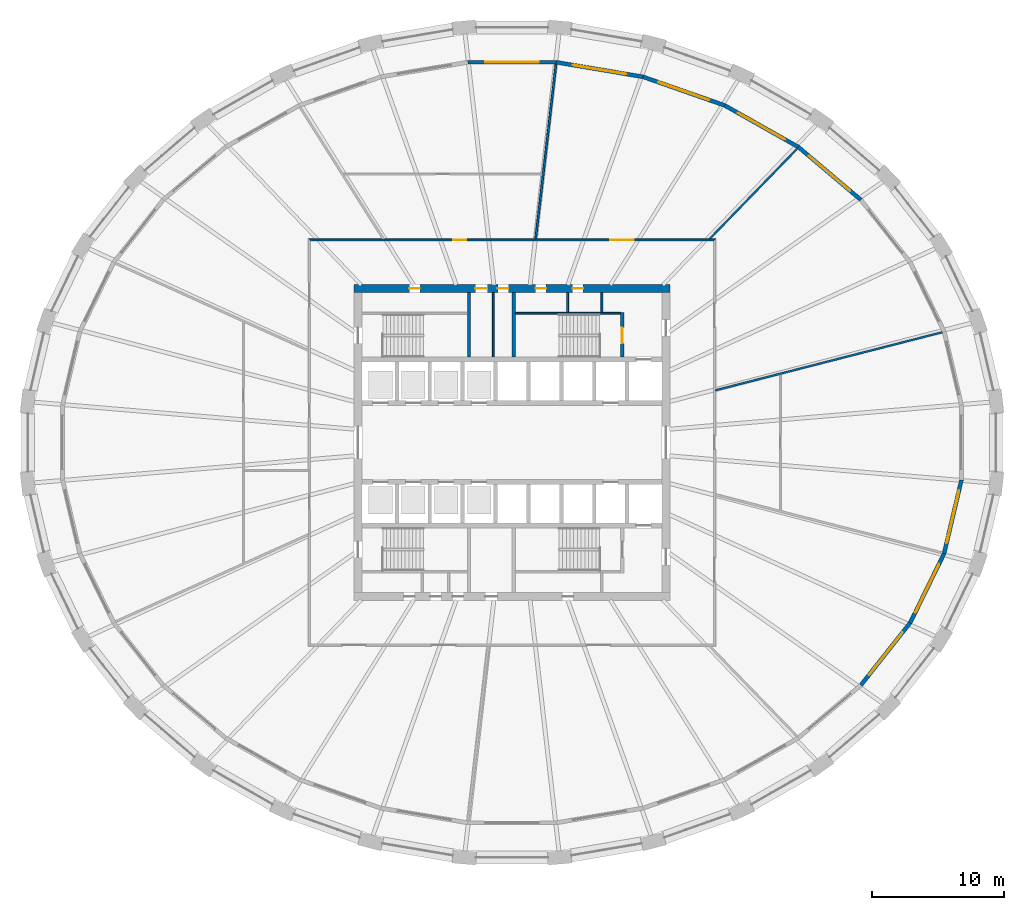
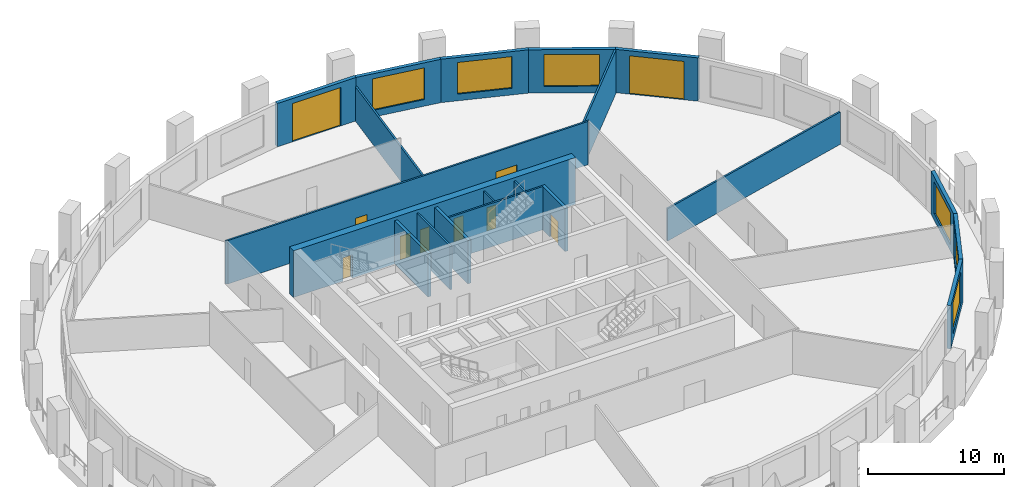
# One storey, part 6 of 10: 20 walls, 10 doors, 6 windows, 16 openings.
"""IFC4 building model written with IfcOpenShell, lengths in metres."""

from ifc_helpers import new_model, si_unit, direction, frame, frame_2d, origin, place, context, subcontext, project, spatial, polyline, rectangle, outline, extrude, material, layer, layer_set, type_object, element, fill, save


model = new_model("IFC4")

# Units and contexts
model_context = context("Model", 3, precision=1e-05, world=origin(), true_north=direction((0.0, 1.0)))
body_context = subcontext(model_context, "Body", "Model", "MODEL_VIEW")
ifc_project = project(units=[si_unit("LENGTHUNIT", "METRE"), si_unit("AREAUNIT", "SQUARE_METRE"), si_unit("VOLUMEUNIT", "CUBIC_METRE"), si_unit("PLANEANGLEUNIT", "RADIAN"), si_unit("MASSUNIT", "GRAM", prefix="KILO")], contexts=[model_context])

# Site, building, storey
site_placement = place(None, origin())
site = spatial("IfcSite", under=ifc_project, at=site_placement, CompositionType="ELEMENT")
building_placement = place(site_placement, origin())
building = spatial("IfcBuilding", under=site, at=building_placement, Name="Halqa Exchange Tower", CompositionType="ELEMENT")
storey_placement = place(building_placement, frame((0.0, 0.0, 65.5)))
storey = spatial("IfcBuildingStorey", under=building, at=storey_placement, Name="L14", CompositionType="ELEMENT", Elevation=65.5)

# Wall, openings, doors
ifc_material_1 = material(Name="Fire-rated gypsum board")
ifc_layer_1 = layer(ifc_material_1, 0.14990234375)
ifc_layer_set_1 = layer_set([ifc_layer_1], Name="Fire-rated gypsum board")
wall_type_1 = type_object("IfcWallType", Name="Fire partition EI 60 150", PredefinedType="PARTITIONING", material=ifc_layer_set_1)
wall_1_placement = place(storey_placement, frame((-15.47509765625, 15.39990234375, 0.0), z_axis=(0.0, 0.0, 1.0), x_axis=(1.0, 0.0, 0.0)))
wall_1 = element("IfcWall", 1, at=wall_1_placement, inside=storey, type_object=wall_type_1, Name="L14-PWL-010", PredefinedType="PARTITIONING", context=body_context, shape_type="SweptSolid", body=[
    extrude(outline(polyline([(0.150146484375, -0.074951171875), (2.065673828125, -0.074951171875), (3.9814453125, -0.074951171875), (5.89697265625, -0.074951171875), (7.8125, -0.074951171875), (9.728271484375, -0.074951171875), (11.643798828125, -0.074951171875), (13.5595703125, -0.074951171875), (15.47509765625, -0.074951171875), (17.390625, -0.074951171875), (19.306396484375, -0.074951171875), (21.221923828125, -0.074951171875), (23.1376953125, -0.074951171875), (25.05322265625, -0.074951171875), (26.96875, -0.074951171875), (28.884521484375, -0.074951171875), (30.800048828125, -0.074951171875), (30.949951171875, 0.074951171875), (29.015625, 0.074951171875), (27.081298828125, 0.074951171875), (25.14697265625, 0.074951171875), (23.21240234375, 0.074951171875), (21.278076171875, 0.074951171875), (19.34375, 0.074951171875), (17.409423828125, 0.074951171875), (15.47509765625, 0.074951171875), (13.540771484375, 0.074951171875), (11.6064453125, 0.074951171875), (9.672119140625, 0.074951171875), (7.73779296875, 0.074951171875), (5.80322265625, 0.074951171875), (3.868896484375, 0.074951171875), (1.9345703125, 0.074951171875), (0.000244140625, 0.074951171875), (0.150146484375, -0.074951171875)])), origin(), (0.0, 0.0, 1.0), 3.89990234375),
])
opening_1_placement = place(wall_1_placement, frame((22.945068359375, 0.0, 0.0)))
opening_1 = element("IfcOpeningElement", 2, at=opening_1_placement, cuts=wall_1, Name="Opening 04-04", PredefinedType="OPENING", context=body_context, shape_type="SweptSolid", body=[
    extrude(rectangle(XDim=1.800048828125, YDim=2.10009765625, at=frame_2d((0.89990234375, 1.050048828125))), frame((0.0, 0.0869140625, 0.0), z_axis=(0.0, -1.0, 0.0), x_axis=(1.0, 0.0, 0.0)), (0.0, 0.0, 1.0), 0.173828125),
])
opening_2_placement = place(wall_1_placement, frame((11.0, 0.0, 0.0)))
opening_2 = element("IfcOpeningElement", 3, at=opening_2_placement, cuts=wall_1, Name="Opening 04-05", PredefinedType="OPENING", context=body_context, shape_type="SweptSolid", body=[
    extrude(rectangle(XDim=1.0, YDim=2.10009765625, at=frame_2d((0.5, 1.050048828125))), frame((0.0, 0.0869140625, 0.0), z_axis=(0.0, -1.0, 0.0), x_axis=(1.0, 0.0, 0.0)), (0.0, 0.0, 1.0), 0.173828125),
])
ifc_material_2 = material(Name="Steel fire door leaf", Category="steel")
door_type_1 = type_object("IfcDoorType", Name="Fire door FD30S 1000 x 2100", OperationType="SINGLE_SWING_LEFT", PredefinedType="DOOR", material=ifc_material_2)
door_1_placement = place(opening_2_placement, origin())
door_1 = element("IfcDoor", 4, at=door_1_placement, inside=storey, type_object=door_type_1, Name="L14-IDR-005", OperationType="SINGLE_SWING_RIGHT", OverallHeight=2.10009765625, OverallWidth=1.0, PredefinedType="DOOR", context=body_context, shape_type="SweptSolid", body=[
    extrude(rectangle(XDim=1.0, YDim=2.10009765625, at=frame_2d((0.5, 1.050048828125))), frame((0.0, 0.02490234375, 0.0), z_axis=(0.0, -1.0, 0.0), x_axis=(1.0, 0.0, 0.0)), (0.0, 0.0, 1.0), 0.050048828125),
])
fill(opening_2, door_1)
door_type_2 = type_object("IfcDoorType", Name="Fire door FD30S double 1800 x 2100", OperationType="DOUBLE_DOOR_SINGLE_SWING", PredefinedType="DOOR", material=ifc_material_2)
door_2_placement = place(opening_1_placement, origin())
door_2 = element("IfcDoor", 5, at=door_2_placement, inside=storey, type_object=door_type_2, Name="L14-IDR-004", OperationType="DOUBLE_DOOR_SINGLE_SWING", OverallHeight=2.10009765625, OverallWidth=1.800048828125, PredefinedType="DOOR", context=body_context, shape_type="SweptSolid", body=[
    extrude(rectangle(XDim=1.800048828125, YDim=2.10009765625, at=frame_2d((0.89990234375, 1.050048828125))), frame((0.0, 0.02490234375, 0.0), z_axis=(0.0, -1.0, 0.0), x_axis=(1.0, 0.0, 0.0)), (0.0, 0.0, 1.0), 0.050048828125),
])
fill(opening_1, door_2)

# Walls
wall_2_placement = place(storey_placement, frame((1.7978515625, 15.466552734375, 0.0), z_axis=(0.0, 0.0, 1.0), x_axis=(0.115693975805, 0.993284905736, 0.0)))
element("IfcWall", 6, at=wall_2_placement, inside=storey, type_object=wall_type_1, Name="L14-PWL-013", PredefinedType="PARTITIONING", context=body_context, shape_type="SweptSolid", body=[
    extrude(outline(polyline([(13.37255859375, -0.074951171875), (13.37255859375, 0.0283203125), (13.3671875, 0.074951171875), (11.69482421875, 0.074951171875), (10.0224609375, 0.074951171875), (8.35009765625, 0.074951171875), (6.677734375, 0.074951171875), (5.00537109375, 0.074951171875), (4.908935546875, 0.063720703125), (4.90771484375, 0.074951171875), (3.271728515625, 0.074951171875), (1.635986328125, 0.074951171875), (0.0, 0.074951171875), (0.0, 0.072998046875), (0.017333984375, -0.074951171875), (1.925048828125, -0.074951171875), (3.8330078125, -0.074951171875), (5.740966796875, -0.074951171875), (7.64892578125, -0.074951171875), (9.556640625, -0.074951171875), (11.464599609375, -0.074951171875), (13.37255859375, -0.074951171875)])), origin(), (0.0, 0.0, 1.0), 3.10009765625),
])
wall_3_placement = place(storey_placement, frame((14.972412109375, 15.423095703125, 0.0), z_axis=(0.0, 0.0, 1.0), x_axis=(0.696498460967, 0.717558286044, 0.0)))
element("IfcWall", 7, at=wall_3_placement, inside=storey, type_object=wall_type_1, Name="L14-PWL-014", PredefinedType="PARTITIONING", context=body_context, shape_type="SweptSolid", body=[
    extrude(outline(polyline([(0.0, 0.074951171875), (0.0, 0.074462890625), (0.14501953125, -0.074951171875), (2.0380859375, -0.074951171875), (3.93115234375, -0.074951171875), (5.82421875, -0.074951171875), (7.71728515625, -0.074951171875), (9.6103515625, -0.074951171875), (9.6103515625, 0.074951171875), (7.688232421875, 0.074951171875), (5.76611328125, 0.074951171875), (3.84423828125, 0.074951171875), (1.922119140625, 0.074951171875), (0.0, 0.074951171875)])), origin(), (0.0, 0.0, 1.0), 3.89990234375),
])
wall_4_placement = place(storey_placement, frame((15.456787109375, 3.964599609375, 0.0), z_axis=(0.0, 0.0, 1.0), x_axis=(0.968758808885, 0.248004778598, 0.0)))
element("IfcWall", 8, at=wall_4_placement, inside=storey, type_object=wall_type_1, Name="L14-PWL-017", PredefinedType="PARTITIONING", context=body_context, shape_type="SweptSolid", body=[
    extrude(outline(polyline([(0.0, -0.074951171875), (1.67724609375, -0.074951171875), (3.3544921875, -0.074951171875), (5.03173828125, -0.074951171875), (5.03173828125, -0.074951171875), (5.0322265625, -0.074951171875), (6.8564453125, -0.074951171875), (8.680419921875, -0.074951171875), (10.504638671875, -0.074951171875), (12.328857421875, -0.074951171875), (14.153076171875, -0.074951171875), (15.97705078125, -0.074951171875), (17.80126953125, -0.074951171875), (17.80126953125, 0.01708984375), (17.789306640625, 0.074951171875), (15.81689453125, 0.074951171875), (13.844482421875, 0.074951171875), (11.8720703125, 0.074951171875), (9.89990234375, 0.074951171875), (7.927490234375, 0.074951171875), (5.955078125, 0.074951171875), (3.982666015625, 0.074951171875), (2.01025390625, 0.074951171875), (0.0380859375, 0.074951171875), (0.0, -0.073486328125), (0.0, -0.074951171875)])), origin(), (0.0, 0.0, 1.0), 2.909912109375),
])
ifc_material_3 = material(Name="Gypsum board")
ifc_layer_2 = layer(ifc_material_3, 0.14990234375)
ifc_layer_set_2 = layer_set([ifc_layer_2], Name="Gypsum board")
wall_type_2 = type_object("IfcWallType", Name="Penthouse riser wall 150 gypsum", PredefinedType="PARTITIONING", material=ifc_layer_set_2)
wall_5_placement = place(storey_placement, frame((-1.425048828125, 6.5, 0.0), z_axis=(0.0, 0.0, 1.0), x_axis=(0.0, 1.0, 0.0)))
element("IfcWall", 9, at=wall_5_placement, inside=storey, type_object=wall_type_2, Name="Partition W1.425 N", PredefinedType="PARTITIONING", context=body_context, shape_type="SweptSolid", body=[
    extrude(rectangle(XDim=4.89990234375, YDim=0.14990234375, at=frame_2d((2.449951171875, 0.0))), origin(), (0.0, 0.0, 1.0), 3.89990234375),
])
for number, where, z_axis, x_axis, name in (
    (10, (4.22509765625, 9.89990234375, 0.0), (0.0, 0.0, 1.0), (0.0, 1.0, 0.0), "Partition E4.225 N"),
    (11, (6.824951171875, 9.89990234375, 0.0), (0.0, 0.0, 1.0), (0.0, 1.0, 0.0), "Firefighting lobby west wall N"),
):
    element("IfcWall", number, at=place(storey_placement, frame(where, z_axis=z_axis, x_axis=x_axis)), inside=storey, type_object=wall_type_2, Name=name, PredefinedType="PARTITIONING", context=body_context, shape_type="SweptSolid", body=[
        extrude(rectangle(XDim=1.5, YDim=0.14990234375, at=frame_2d((0.75, 0.0))), origin(), (0.0, 0.0, 1.0), 3.89990234375),
    ])

# Wall, openings, doors
ifc_material_4 = material(Name="Concrete C80/95", Category="concrete")
ifc_layer_3 = layer(ifc_material_4, 0.60009765625)
ifc_layer_set_3 = layer_set([ifc_layer_3], Name="Concrete C80/95")
wall_type_3 = type_object("IfcWallType", Name="RC core wall 600 C80/95", PredefinedType="SHEAR", material=ifc_layer_set_3)
wall_6_placement = place(storey_placement, frame((-12.0, 11.699951171875, 0.0), z_axis=(0.0, 0.0, 1.0), x_axis=(1.0, 0.0, 0.0)))
wall_6 = element("IfcWall", 12, at=wall_6_placement, inside=storey, type_object=wall_type_3, Name="Core wall north", PredefinedType="SHEAR", context=body_context, shape_type="SweptSolid", body=[
    extrude(rectangle(XDim=24.0, YDim=0.60009765625, at=frame_2d((12.0, 0.0))), origin(), (0.0, 0.0, 1.0), 4.199951171875),
])
opening_3_placement = place(wall_6_placement, frame((9.22509765625, 0.0, 0.0)))
opening_3 = element("IfcOpeningElement", 13, at=opening_3_placement, cuts=wall_6, Name="Opening T04-C21", PredefinedType="OPENING", context=body_context, shape_type="SweptSolid", body=[
    extrude(rectangle(XDim=0.89990234375, YDim=2.10009765625, at=frame_2d((0.449951171875, 1.050048828125))), frame((0.0, 0.31201171875, 0.0), z_axis=(0.0, -1.0, 0.0), x_axis=(1.0, 0.0, 0.0)), (0.0, 0.0, 1.0), 0.6240234375),
])
opening_4_placement = place(wall_6_placement, frame((10.925048828125, 0.0, 0.0)))
opening_4 = element("IfcOpeningElement", 14, at=opening_4_placement, cuts=wall_6, Name="Opening T04-C22", PredefinedType="OPENING", context=body_context, shape_type="SweptSolid", body=[
    extrude(rectangle(XDim=0.800048828125, YDim=2.10009765625, at=frame_2d((0.39990234375, 1.050048828125))), frame((0.0, 0.31201171875, 0.0), z_axis=(0.0, -1.0, 0.0), x_axis=(1.0, 0.0, 0.0)), (0.0, 0.0, 1.0), 0.6240234375),
])
opening_5_placement = place(wall_6_placement, frame((4.199951171875, 0.0, 0.0)))
opening_5 = element("IfcOpeningElement", 15, at=opening_5_placement, cuts=wall_6, Name="Opening T04-C23", PredefinedType="OPENING", context=body_context, shape_type="SweptSolid", body=[
    extrude(rectangle(XDim=0.800048828125, YDim=2.10009765625, at=frame_2d((0.39990234375, 1.050048828125))), frame((0.0, 0.31201171875, 0.0), z_axis=(0.0, -1.0, 0.0), x_axis=(1.0, 0.0, 0.0)), (0.0, 0.0, 1.0), 0.6240234375),
])
opening_6_placement = place(wall_6_placement, frame((13.800048828125, 0.0, 0.0)))
opening_6 = element("IfcOpeningElement", 16, at=opening_6_placement, cuts=wall_6, Name="Opening T04-C24", PredefinedType="OPENING", context=body_context, shape_type="SweptSolid", body=[
    extrude(rectangle(XDim=0.800048828125, YDim=2.10009765625, at=frame_2d((0.39990234375, 1.050048828125))), frame((0.0, 0.31201171875, 0.0), z_axis=(0.0, -1.0, 0.0), x_axis=(1.0, 0.0, 0.0)), (0.0, 0.0, 1.0), 0.6240234375),
])
opening_7_placement = place(wall_6_placement, frame((16.60009765625, 0.0, 0.0)))
opening_7 = element("IfcOpeningElement", 17, at=opening_7_placement, cuts=wall_6, Name="Opening T04-C25", PredefinedType="OPENING", context=body_context, shape_type="SweptSolid", body=[
    extrude(rectangle(XDim=0.800048828125, YDim=2.10009765625, at=frame_2d((0.39990234375, 1.050048828125))), frame((0.0, 0.31201171875, 0.0), z_axis=(0.0, -1.0, 0.0), x_axis=(1.0, 0.0, 0.0)), (0.0, 0.0, 1.0), 0.6240234375),
])
ifc_material_5 = material(Name="Timber fire door leaf", Category="wood")
door_type_3 = type_object("IfcDoorType", Name="Core room door FD30 900 x 2100", OperationType="SINGLE_SWING_LEFT", PredefinedType="DOOR", material=ifc_material_5)
door_3_placement = place(opening_3_placement, frame((0.89990234375, 0.0, 0.0), z_axis=(0.0, 0.0, 1.0), x_axis=(-1.0, 0.0, 0.0)))
door_3 = element("IfcDoor", 18, at=door_3_placement, inside=storey, type_object=door_type_3, Name="Core room door", OperationType="SINGLE_SWING_LEFT", OverallHeight=2.10009765625, OverallWidth=0.89990234375, PredefinedType="DOOR", context=body_context, shape_type="SweptSolid", body=[
    extrude(rectangle(XDim=0.89990234375, YDim=2.10009765625, at=frame_2d((0.449951171875, 1.050048828125))), frame((0.0, 0.02490234375, 0.0), z_axis=(0.0, -1.0, 0.0), x_axis=(1.0, 0.0, 0.0)), (0.0, 0.0, 1.0), 0.050048828125),
])
fill(opening_3, door_3)
door_type_4 = type_object("IfcDoorType", Name="Riser door FD60 800 x 2100", OperationType="SINGLE_SWING_LEFT", PredefinedType="DOOR", material=ifc_material_2)
door_4_placement = place(opening_4_placement, frame((0.800048828125, 0.0, 0.0), z_axis=(0.0, 0.0, 1.0), x_axis=(-1.0, 0.0, 0.0)))
door_4 = element("IfcDoor", 19, at=door_4_placement, inside=storey, type_object=door_type_4, Name="Core room door", OperationType="SINGLE_SWING_LEFT", OverallHeight=2.10009765625, OverallWidth=0.800048828125, PredefinedType="DOOR", context=body_context, shape_type="SweptSolid", body=[
    extrude(rectangle(XDim=0.800048828125, YDim=2.10009765625, at=frame_2d((0.39990234375, 1.050048828125))), frame((0.0, 0.02490234375, 0.0), z_axis=(0.0, -1.0, 0.0), x_axis=(1.0, 0.0, 0.0)), (0.0, 0.0, 1.0), 0.050048828125),
])
fill(opening_4, door_4)
door_5_placement = place(opening_5_placement, frame((0.800048828125, 0.0, 0.0), z_axis=(0.0, 0.0, 1.0), x_axis=(-1.0, 0.0, 0.0)))
door_5 = element("IfcDoor", 20, at=door_5_placement, inside=storey, type_object=door_type_4, Name="Core room door", OperationType="SINGLE_SWING_LEFT", OverallHeight=2.10009765625, OverallWidth=0.800048828125, PredefinedType="DOOR", context=body_context, shape_type="SweptSolid", body=[
    extrude(rectangle(XDim=0.800048828125, YDim=2.10009765625, at=frame_2d((0.39990234375, 1.050048828125))), frame((0.0, 0.02490234375, 0.0), z_axis=(0.0, -1.0, 0.0), x_axis=(1.0, 0.0, 0.0)), (0.0, 0.0, 1.0), 0.050048828125),
])
fill(opening_5, door_5)
door_6_placement = place(opening_6_placement, frame((0.800048828125, 0.0, 0.0), z_axis=(0.0, 0.0, 1.0), x_axis=(-1.0, 0.0, 0.0)))
door_6 = element("IfcDoor", 21, at=door_6_placement, inside=storey, type_object=door_type_4, Name="Core room door", OperationType="SINGLE_SWING_RIGHT", OverallHeight=2.10009765625, OverallWidth=0.800048828125, PredefinedType="DOOR", context=body_context, shape_type="SweptSolid", body=[
    extrude(rectangle(XDim=0.800048828125, YDim=2.10009765625, at=frame_2d((0.39990234375, 1.050048828125))), frame((0.0, 0.02490234375, 0.0), z_axis=(0.0, -1.0, 0.0), x_axis=(1.0, 0.0, 0.0)), (0.0, 0.0, 1.0), 0.050048828125),
])
fill(opening_6, door_6)
door_7_placement = place(opening_7_placement, frame((0.800048828125, 0.0, 0.0), z_axis=(0.0, 0.0, 1.0), x_axis=(-1.0, 0.0, 0.0)))
door_7 = element("IfcDoor", 22, at=door_7_placement, inside=storey, type_object=door_type_4, Name="Core room door", OperationType="SINGLE_SWING_LEFT", OverallHeight=2.10009765625, OverallWidth=0.800048828125, PredefinedType="DOOR", context=body_context, shape_type="SweptSolid", body=[
    extrude(rectangle(XDim=0.800048828125, YDim=2.10009765625, at=frame_2d((0.39990234375, 1.050048828125))), frame((0.0, 0.02490234375, 0.0), z_axis=(0.0, -1.0, 0.0), x_axis=(1.0, 0.0, 0.0)), (0.0, 0.0, 1.0), 0.050048828125),
])
fill(opening_7, door_7)

# Walls
ifc_material_6 = material(Name="Concrete C30/37", Category="concrete")
ifc_layer_4 = layer(ifc_material_6, 0.14990234375)
ifc_layer_set_4 = layer_set([ifc_layer_4], Name="Concrete C30/37")
wall_type_4 = type_object("IfcWallType", Name="RC stair wall 150 C30/37", PredefinedType="SHEAR", material=ifc_layer_set_4)
wall_7_placement = place(storey_placement, frame((0.25, 9.824951171875, 0.0), z_axis=(0.0, 0.0, 1.0), x_axis=(1.0, 0.0, 0.0)))
element("IfcWall", 23, at=wall_7_placement, inside=storey, type_object=wall_type_4, Name="Stair ST2 north wall N", PredefinedType="SHEAR", context=body_context, shape_type="SweptSolid", body=[
    extrude(rectangle(XDim=8.0, YDim=0.14990234375, at=frame_2d((4.0, 0.0))), origin(), (0.0, 0.0, 1.0), 3.89990234375),
])
ifc_layer_5 = layer(ifc_material_6, 0.25)
ifc_layer_set_5 = layer_set([ifc_layer_5], Name="Concrete C30/37")
wall_type_5 = type_object("IfcWallType", Name="RC stair wall 250 C30/37", PredefinedType="SHEAR", material=ifc_layer_set_5)
for number, where, z_axis, x_axis, name in (
    (24, (-3.27490234375, 6.5, 0.0), (0.0, 0.0, 1.0), (0.0, 1.0, 0.0), "Stair ST1 east wall N"),
    (25, (0.125, 6.5, 0.0), (0.0, 0.0, 1.0), (0.0, 1.0, 0.0), "Stair ST2 west wall N"),
):
    element("IfcWall", number, at=place(storey_placement, frame(where, z_axis=z_axis, x_axis=x_axis)), inside=storey, type_object=wall_type_5, Name=name, PredefinedType="SHEAR", context=body_context, shape_type="SweptSolid", body=[
        extrude(rectangle(XDim=4.89990234375, YDim=0.25, at=frame_2d((2.449951171875, 0.0))), origin(), (0.0, 0.0, 1.0), 3.89990234375),
    ])

# Wall, opening, door
wall_8_placement = place(storey_placement, frame((8.375, 6.5, 0.0), z_axis=(0.0, 0.0, 1.0), x_axis=(0.0, 1.0, 0.0)))
wall_8 = element("IfcWall", 26, at=wall_8_placement, inside=storey, type_object=wall_type_5, Name="Stair ST2 east wall N", PredefinedType="SHEAR", context=body_context, shape_type="SweptSolid", body=[
    extrude(rectangle(XDim=3.39990234375, YDim=0.25, at=frame_2d((1.699951171875, 0.0))), origin(), (0.0, 0.0, 1.0), 3.89990234375),
])
opening_8_placement = place(wall_8_placement, frame((1.02490234375, 0.0, 0.0)))
opening_8 = element("IfcOpeningElement", 27, at=opening_8_placement, cuts=wall_8, Name="Opening T04-C16", PredefinedType="OPENING", context=body_context, shape_type="SweptSolid", body=[
    extrude(rectangle(XDim=1.199951171875, YDim=2.10009765625, at=frame_2d((0.60009765625, 1.050048828125))), frame((0.0, 0.136962890625, 0.0), z_axis=(0.0, -1.0, 0.0), x_axis=(1.0, 0.0, 0.0)), (0.0, 0.0, 1.0), 0.27392578125),
])
door_type_5 = type_object("IfcDoorType", Name="Stair door FD90 1200 x 2100", OperationType="SINGLE_SWING_LEFT", PredefinedType="DOOR", material=ifc_material_2)
door_8_placement = place(opening_8_placement, origin())
door_8 = element("IfcDoor", 28, at=door_8_placement, inside=storey, type_object=door_type_5, Name="Stair door ST2", OperationType="SINGLE_SWING_RIGHT", OverallHeight=2.10009765625, OverallWidth=1.199951171875, PredefinedType="DOOR", context=body_context, shape_type="SweptSolid", body=[
    extrude(rectangle(XDim=1.199951171875, YDim=2.10009765625, at=frame_2d((0.60009765625, 1.050048828125))), frame((0.0, 0.02490234375, 0.0), z_axis=(0.0, -1.0, 0.0), x_axis=(1.0, 0.0, 0.0)), (0.0, 0.0, 1.0), 0.050048828125),
])
fill(opening_8, door_8)

ifc_material_7 = material(Name="Limestone cladding", Category="masonry")
ifc_layer_6 = layer(ifc_material_7, 0.0400390625)
ifc_material_8 = material(Name="Ventilated cavity")
ifc_layer_7 = layer(ifc_material_8, 0.030029296875, ventilated=True)
ifc_material_9 = material(Name="Mineral wool insulation")
ifc_layer_8 = layer(ifc_material_9, 0.10009765625)
ifc_layer_9 = layer(ifc_material_6, 0.10009765625)
ifc_material_10 = material(Name="Internal plaster")
ifc_layer_10 = layer(ifc_material_10, 0.030029296875)
ifc_layer_set_6 = layer_set([ifc_layer_6, ifc_layer_7, ifc_layer_8, ifc_layer_9, ifc_layer_10], Name="Stone-faced insulated wall 300")
wall_type_6 = type_object("IfcWallType", Name="Stone-faced insulated wall 300", PredefinedType="STANDARD", material=ifc_layer_set_6)
wall_9_placement = place(storey_placement, frame((26.52490234375, 18.43359375, 0.0), z_axis=(0.0, 0.0, 1.0), x_axis=(-0.763655167989, 0.645624336905, 0.0)))
wall_9 = element("IfcWall", 29, at=wall_9_placement, inside=storey, type_object=wall_type_6, Name="Glass-line wall 4", PredefinedType="STANDARD", context=body_context, shape_type="SweptSolid", body=[
    extrude(outline(polyline([(-0.01513671875, -0.14990234375), (6.246337890625, -0.14990234375), (6.218017578125, 0.14990234375), (0.01513671875, 0.14990234375), (-0.01513671875, -0.14990234375)])), origin(), (0.0, 0.0, 1.0), 3.89990234375),
])
opening_9_placement = place(wall_9_placement, frame((1.066162109375, 0.0, 0.0)))
opening_9 = element("IfcOpeningElement", 30, at=opening_9_placement, cuts=wall_9, Name="Opening LG-F1-01", PredefinedType="OPENING", context=body_context, shape_type="SweptSolid", body=[
    extrude(rectangle(XDim=4.10009765625, YDim=3.449951171875, at=frame_2d((2.050048828125, 1.72509765625))), frame((0.0, 0.162109375, 0.0), z_axis=(0.0, -1.0, 0.0), x_axis=(1.0, 0.0, 0.0)), (0.0, 0.0, 1.0), 0.323974609375),
])
ifc_material_11 = material(Name="Clear low-emissivity glass in aluminium frame", Category="aluminium")
door_type_6 = type_object("IfcDoorType", Name="Glazed sliding loggia door 4100 x 3450", OperationType="DOUBLE_DOOR_SLIDING", PredefinedType="DOOR", material=ifc_material_11)
door_9_placement = place(opening_9_placement, origin())
door_9 = element("IfcDoor", 31, at=door_9_placement, inside=storey, type_object=door_type_6, Name="Loggia door 1", OperationType="DOUBLE_DOOR_SLIDING", OverallHeight=3.449951171875, OverallWidth=4.10009765625, PredefinedType="DOOR", context=body_context, shape_type="SweptSolid", body=[
    extrude(rectangle(XDim=4.10009765625, YDim=3.449951171875, at=frame_2d((2.050048828125, 1.72509765625))), frame((0.0, 0.02490234375, 0.0), z_axis=(0.0, -1.0, 0.0), x_axis=(1.0, 0.0, 0.0)), (0.0, 0.0, 1.0), 0.050048828125),
])
fill(opening_9, door_9)

# Wall, opening, window
wall_10_placement = place(storey_placement, frame((21.765625, 22.457275390625, 0.0), z_axis=(0.0, 0.0, 1.0), x_axis=(-0.870673928577, 0.491860661262, 0.0)))
wall_10 = element("IfcWall", 32, at=wall_10_placement, inside=storey, type_object=wall_type_6, Name="Glass-line wall 5", PredefinedType="STANDARD", context=body_context, shape_type="SweptSolid", body=[
    extrude(outline(polyline([(-0.01416015625, -0.14990234375), (6.438232421875, -0.14990234375), (6.411376953125, 0.14990234375), (0.01416015625, 0.14990234375), (-0.01416015625, -0.14990234375)])), origin(), (0.0, 0.0, 1.0), 3.89990234375),
])
opening_10_placement = place(wall_10_placement, frame((1.16259765625, 0.0, 0.60009765625)))
opening_10 = element("IfcOpeningElement", 33, at=opening_10_placement, cuts=wall_10, Name="Opening W-F1-05", PredefinedType="OPENING", context=body_context, shape_type="SweptSolid", body=[
    extrude(rectangle(XDim=4.10009765625, YDim=2.85009765625, at=frame_2d((2.050048828125, 1.425048828125))), frame((0.0, 0.162109375, 0.0), z_axis=(0.0, -1.0, 0.0), x_axis=(1.0, 0.0, 0.0)), (0.0, 0.0, 1.0), 0.323974609375),
])
window_type = type_object("IfcWindowType", Name="Fixed clear glazed window 4100 x 2850", PartitioningType="TRIPLE_PANEL_VERTICAL", PredefinedType="WINDOW", material=ifc_material_11)
window_1_placement = place(opening_10_placement, origin())
window_1 = element("IfcWindow", 34, at=window_1_placement, inside=storey, type_object=window_type, Name="Window 1", OverallHeight=2.85009765625, OverallWidth=4.10009765625, PartitioningType="TRIPLE_PANEL_VERTICAL", PredefinedType="WINDOW", context=body_context, shape_type="SweptSolid", body=[
    extrude(rectangle(XDim=4.10009765625, YDim=2.85009765625, at=frame_2d((2.050048828125, 1.425048828125))), frame((0.0, 0.030029296875, 0.0), z_axis=(0.0, -1.0, 0.0), x_axis=(1.0, 0.0, 0.0)), (0.0, 0.0, 1.0), 0.06005859375),
])
fill(opening_10, window_1)

wall_11_placement = place(storey_placement, frame((16.171630859375, 25.617431640625, 0.0), z_axis=(0.0, 0.0, 1.0), x_axis=(-0.94380689486, 0.330497420889, 0.0)))
wall_11 = element("IfcWall", 35, at=wall_11_placement, inside=storey, type_object=wall_type_6, Name="Glass-line wall 6", PredefinedType="STANDARD", context=body_context, shape_type="SweptSolid", body=[
    extrude(outline(polyline([(-0.013427734375, -0.14990234375), (6.5966796875, -0.14990234375), (6.5712890625, 0.14990234375), (0.013427734375, 0.14990234375), (-0.013427734375, -0.14990234375)])), origin(), (0.0, 0.0, 1.0), 3.89990234375),
])
opening_11_placement = place(wall_11_placement, frame((1.241943359375, 0.0, 0.60009765625)))
opening_11 = element("IfcOpeningElement", 36, at=opening_11_placement, cuts=wall_11, Name="Opening W-F1-06", PredefinedType="OPENING", context=body_context, shape_type="SweptSolid", body=[
    extrude(rectangle(XDim=4.10009765625, YDim=2.85009765625, at=frame_2d((2.050048828125, 1.425048828125))), frame((0.0, 0.162109375, 0.0), z_axis=(0.0, -1.0, 0.0), x_axis=(1.0, 0.0, 0.0)), (0.0, 0.0, 1.0), 0.323974609375),
])
window_2_placement = place(opening_11_placement, origin())
window_2 = element("IfcWindow", 37, at=window_2_placement, inside=storey, type_object=window_type, Name="Window 1", OverallHeight=2.85009765625, OverallWidth=4.10009765625, PartitioningType="TRIPLE_PANEL_VERTICAL", PredefinedType="WINDOW", context=body_context, shape_type="SweptSolid", body=[
    extrude(rectangle(XDim=4.10009765625, YDim=2.85009765625, at=frame_2d((2.050048828125, 1.425048828125))), frame((0.0, 0.030029296875, 0.0), z_axis=(0.0, -1.0, 0.0), x_axis=(1.0, 0.0, 0.0)), (0.0, 0.0, 1.0), 0.06005859375),
])
fill(opening_11, window_2)

wall_12_placement = place(storey_placement, frame((9.95751953125, 27.79345703125, 0.0), z_axis=(0.0, 0.0, 1.0), x_axis=(-0.986153133093, 0.165837263877, 0.0)))
wall_12 = element("IfcWall", 38, at=wall_12_placement, inside=storey, type_object=wall_type_6, Name="Glass-line wall 7", PredefinedType="STANDARD", context=body_context, shape_type="SweptSolid", body=[
    extrude(outline(polyline([(-0.0126953125, -0.14990234375), (6.700439453125, -0.14990234375), (6.675537109375, 0.14990234375), (0.0126953125, 0.14990234375), (-0.0126953125, -0.14990234375)])), origin(), (0.0, 0.0, 1.0), 3.89990234375),
])
opening_12_placement = place(wall_12_placement, frame((1.294189453125, 0.0, 0.60009765625)))
opening_12 = element("IfcOpeningElement", 39, at=opening_12_placement, cuts=wall_12, Name="Opening W-F1-07", PredefinedType="OPENING", context=body_context, shape_type="SweptSolid", body=[
    extrude(rectangle(XDim=4.10009765625, YDim=2.85009765625, at=frame_2d((2.050048828125, 1.425048828125))), frame((0.0, 0.162109375, 0.0), z_axis=(0.0, -1.0, 0.0), x_axis=(1.0, 0.0, 0.0)), (0.0, 0.0, 1.0), 0.323974609375),
])
window_3_placement = place(opening_12_placement, origin())
window_3 = element("IfcWindow", 40, at=window_3_placement, inside=storey, type_object=window_type, Name="Window 1", OverallHeight=2.85009765625, OverallWidth=4.10009765625, PartitioningType="TRIPLE_PANEL_VERTICAL", PredefinedType="WINDOW", context=body_context, shape_type="SweptSolid", body=[
    extrude(rectangle(XDim=4.10009765625, YDim=2.85009765625, at=frame_2d((2.050048828125, 1.425048828125))), frame((0.0, 0.030029296875, 0.0), z_axis=(0.0, -1.0, 0.0), x_axis=(1.0, 0.0, 0.0)), (0.0, 0.0, 1.0), 0.06005859375),
])
fill(opening_12, window_3)

# Wall, opening, door
wall_13_placement = place(storey_placement, frame((3.362060546875, 28.902587890625, 0.0), z_axis=(0.0, 0.0, 1.0), x_axis=(-1.0, 0.0, 0.0)))
wall_13 = element("IfcWall", 41, at=wall_13_placement, inside=storey, type_object=wall_type_6, Name="Glass-line wall 8", PredefinedType="STANDARD", context=body_context, shape_type="SweptSolid", body=[
    extrude(outline(polyline([(-0.012451171875, -0.14990234375), (6.736572265625, -0.14990234375), (6.711669921875, 0.14990234375), (0.012451171875, 0.14990234375), (-0.012451171875, -0.14990234375)])), origin(), (0.0, 0.0, 1.0), 3.89990234375),
])
opening_13_placement = place(wall_13_placement, frame((1.31201171875, 0.0, 0.0)))
opening_13 = element("IfcOpeningElement", 42, at=opening_13_placement, cuts=wall_13, Name="Opening LG-F1-02", PredefinedType="OPENING", context=body_context, shape_type="SweptSolid", body=[
    extrude(rectangle(XDim=4.10009765625, YDim=3.449951171875, at=frame_2d((2.050048828125, 1.72509765625))), frame((0.0, 0.162109375, 0.0), z_axis=(0.0, -1.0, 0.0), x_axis=(1.0, 0.0, 0.0)), (0.0, 0.0, 1.0), 0.323974609375),
])
door_10_placement = place(opening_13_placement, origin())
door_10 = element("IfcDoor", 43, at=door_10_placement, inside=storey, type_object=door_type_6, Name="Loggia door 2", OperationType="DOUBLE_DOOR_SLIDING", OverallHeight=3.449951171875, OverallWidth=4.10009765625, PredefinedType="DOOR", context=body_context, shape_type="SweptSolid", body=[
    extrude(rectangle(XDim=4.10009765625, YDim=3.449951171875, at=frame_2d((2.050048828125, 1.72509765625))), frame((0.0, 0.02490234375, 0.0), z_axis=(0.0, -1.0, 0.0), x_axis=(1.0, 0.0, 0.0)), (0.0, 0.0, 1.0), 0.050048828125),
])
fill(opening_13, door_10)

# Wall, opening, window
wall_14_placement = place(storey_placement, frame((26.52490234375, -18.43359375, 0.0), z_axis=(0.0, 0.0, 1.0), x_axis=(0.620065339223, 0.784550173727, 0.0)))
wall_14 = element("IfcWall", 44, at=wall_14_placement, inside=storey, type_object=wall_type_6, Name="Glass-line wall 29", PredefinedType="STANDARD", context=body_context, shape_type="SweptSolid", body=[
    extrude(outline(polyline([(-0.01513671875, -0.14990234375), (6.0498046875, -0.14990234375), (6.017578125, 0.14990234375), (0.01513671875, 0.14990234375), (-0.01513671875, -0.14990234375)])), origin(), (0.0, 0.0, 1.0), 3.89990234375),
])
opening_14_placement = place(wall_14_placement, frame((0.966796875, 0.0, 0.60009765625)))
opening_14 = element("IfcOpeningElement", 45, at=opening_14_placement, cuts=wall_14, Name="Opening W-F1-29", PredefinedType="OPENING", context=body_context, shape_type="SweptSolid", body=[
    extrude(rectangle(XDim=4.10009765625, YDim=2.85009765625, at=frame_2d((2.050048828125, 1.425048828125))), frame((0.0, 0.162109375, 0.0), z_axis=(0.0, -1.0, 0.0), x_axis=(1.0, 0.0, 0.0)), (0.0, 0.0, 1.0), 0.323974609375),
])
window_4_placement = place(opening_14_placement, origin())
window_4 = element("IfcWindow", 46, at=window_4_placement, inside=storey, type_object=window_type, Name="Window 1", OverallHeight=2.85009765625, OverallWidth=4.10009765625, PartitioningType="TRIPLE_PANEL_VERTICAL", PredefinedType="WINDOW", context=body_context, shape_type="SweptSolid", body=[
    extrude(rectangle(XDim=4.10009765625, YDim=2.85009765625, at=frame_2d((2.050048828125, 1.425048828125))), frame((0.0, 0.030029296875, 0.0), z_axis=(0.0, -1.0, 0.0), x_axis=(1.0, 0.0, 0.0)), (0.0, 0.0, 1.0), 0.06005859375),
])
fill(opening_14, window_4)

wall_15_placement = place(storey_placement, frame((30.26611328125, -13.699951171875, 0.0), z_axis=(0.0, 0.0, 1.0), x_axis=(0.439949735177, 0.898022399786, 0.0)))
wall_15 = element("IfcWall", 47, at=wall_15_placement, inside=storey, type_object=wall_type_6, Name="Glass-line wall 30", PredefinedType="STANDARD", context=body_context, shape_type="SweptSolid", body=[
    extrude(outline(polyline([(-0.01611328125, -0.14990234375), (5.876953125, -0.14990234375), (5.84326171875, 0.14990234375), (0.01611328125, 0.14990234375), (-0.01611328125, -0.14990234375)])), origin(), (0.0, 0.0, 1.0), 3.89990234375),
])
opening_15_placement = place(wall_15_placement, frame((0.8798828125, 0.0, 0.60009765625)))
opening_15 = element("IfcOpeningElement", 48, at=opening_15_placement, cuts=wall_15, Name="Opening W-F1-30", PredefinedType="OPENING", context=body_context, shape_type="SweptSolid", body=[
    extrude(rectangle(XDim=4.10009765625, YDim=2.85009765625, at=frame_2d((2.050048828125, 1.425048828125))), frame((0.0, 0.162109375, 0.0), z_axis=(0.0, -1.0, 0.0), x_axis=(1.0, 0.0, 0.0)), (0.0, 0.0, 1.0), 0.323974609375),
])
window_5_placement = place(opening_15_placement, origin())
window_5 = element("IfcWindow", 49, at=window_5_placement, inside=storey, type_object=window_type, Name="Window 1", OverallHeight=2.85009765625, OverallWidth=4.10009765625, PartitioningType="TRIPLE_PANEL_VERTICAL", PredefinedType="WINDOW", context=body_context, shape_type="SweptSolid", body=[
    extrude(rectangle(XDim=4.10009765625, YDim=2.85009765625, at=frame_2d((2.050048828125, 1.425048828125))), frame((0.0, 0.030029296875, 0.0), z_axis=(0.0, -1.0, 0.0), x_axis=(1.0, 0.0, 0.0)), (0.0, 0.0, 1.0), 0.06005859375),
])
fill(opening_15, window_5)

wall_16_placement = place(storey_placement, frame((32.84423828125, -8.4375, 0.0), z_axis=(0.0, 0.0, 1.0), x_axis=(0.22905355604, 0.973413821797, 0.0)))
wall_16 = element("IfcWall", 50, at=wall_16_placement, inside=storey, type_object=wall_type_6, Name="Glass-line wall 31", PredefinedType="STANDARD", context=body_context, shape_type="SweptSolid", body=[
    extrude(outline(polyline([(-0.016845703125, -0.14990234375), (5.758056640625, -0.14990234375), (5.723388671875, 0.14990234375), (0.016845703125, 0.14990234375), (-0.016845703125, -0.14990234375)])), origin(), (0.0, 0.0, 1.0), 3.89990234375),
])
opening_16_placement = place(wall_16_placement, frame((0.8203125, 0.0, 0.60009765625)))
opening_16 = element("IfcOpeningElement", 51, at=opening_16_placement, cuts=wall_16, Name="Opening W-F1-31", PredefinedType="OPENING", context=body_context, shape_type="SweptSolid", body=[
    extrude(rectangle(XDim=4.10009765625, YDim=2.85009765625, at=frame_2d((2.050048828125, 1.425048828125))), frame((0.0, 0.162109375, 0.0), z_axis=(0.0, -1.0, 0.0), x_axis=(1.0, 0.0, 0.0)), (0.0, 0.0, 1.0), 0.323974609375),
])
window_6_placement = place(opening_16_placement, origin())
window_6 = element("IfcWindow", 52, at=window_6_placement, inside=storey, type_object=window_type, Name="Window 1", OverallHeight=2.85009765625, OverallWidth=4.10009765625, PartitioningType="TRIPLE_PANEL_VERTICAL", PredefinedType="WINDOW", context=body_context, shape_type="SweptSolid", body=[
    extrude(rectangle(XDim=4.10009765625, YDim=2.85009765625, at=frame_2d((2.050048828125, 1.425048828125))), frame((0.0, 0.030029296875, 0.0), z_axis=(0.0, -1.0, 0.0), x_axis=(1.0, 0.0, 0.0)), (0.0, 0.0, 1.0), 0.06005859375),
])
fill(opening_16, window_6)

save(model, "model.ifc")
